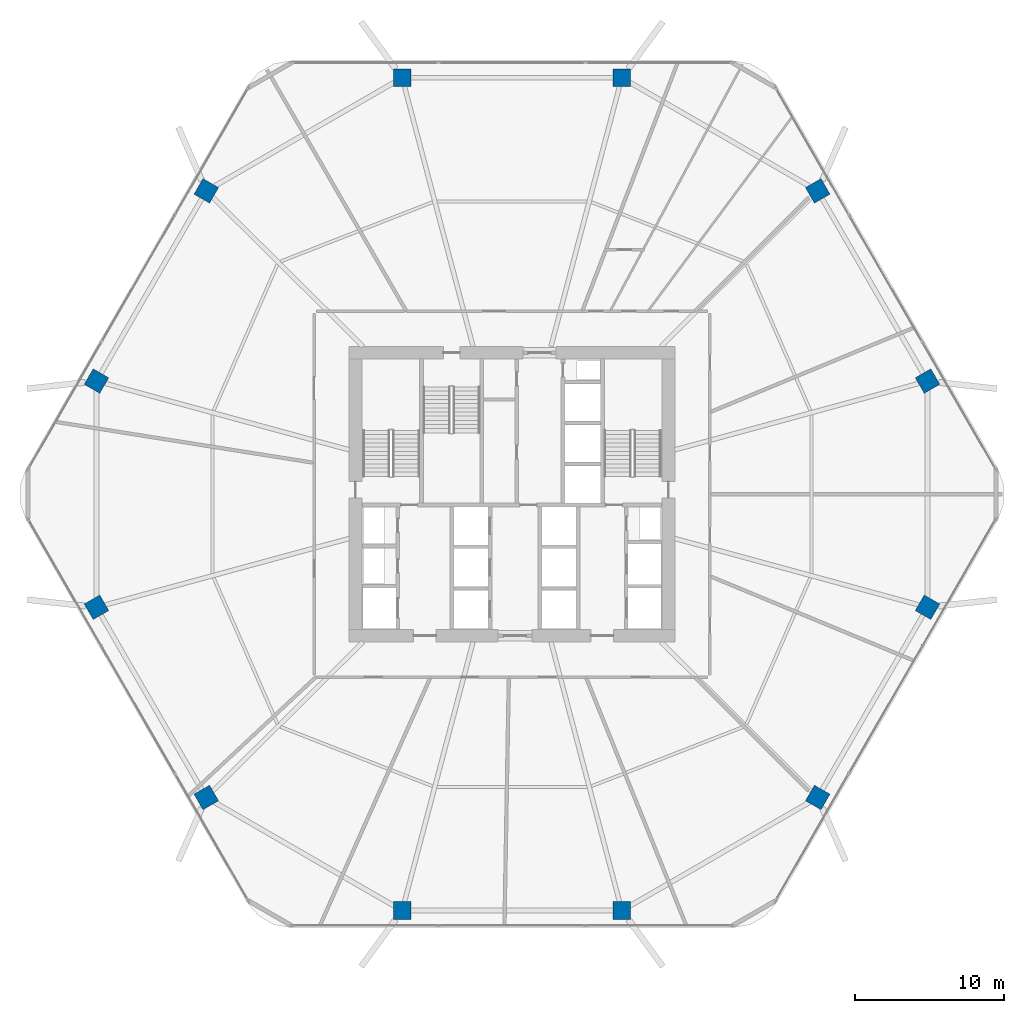
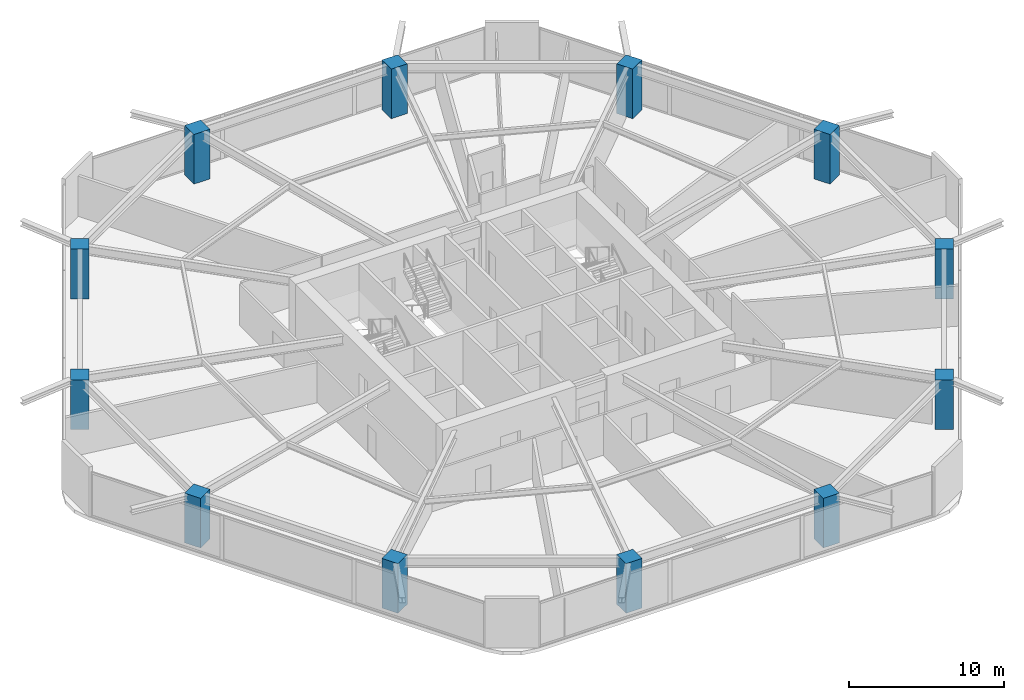
# One storey, part 1 of 25: 12 columns.
"""IFC4 building model written with IfcOpenShell, lengths in metres."""

from ifc_helpers import new_model, si_unit, direction, frame, origin, origin_2d, place, context, subcontext, project, spatial, rectangle, extrude, material, material_profile, profile_set, type_object, element, save


model = new_model("IFC4")

# Units and contexts
model_context = context("Model", 3, precision=1e-05, world=origin(), true_north=direction((0.0, 1.0)))
body_context = subcontext(model_context, "Body", "Model", "MODEL_VIEW")
ifc_project = project(units=[si_unit("LENGTHUNIT", "METRE"), si_unit("AREAUNIT", "SQUARE_METRE"), si_unit("VOLUMEUNIT", "CUBIC_METRE"), si_unit("PLANEANGLEUNIT", "RADIAN"), si_unit("MASSUNIT", "GRAM", prefix="KILO")], contexts=[model_context])

# Site, building, storey
site_placement = place(None, origin())
site = spatial("IfcSite", under=ifc_project, at=site_placement, CompositionType="ELEMENT")
building_placement = place(site_placement, origin())
building = spatial("IfcBuilding", under=site, at=building_placement, Name="Zuhravey Tower", CompositionType="ELEMENT")
storey_placement = place(building_placement, frame((0.0, 0.0, 70.800048828125)))
storey = spatial("IfcBuildingStorey", under=building, at=storey_placement, Name="L17", CompositionType="ELEMENT", Elevation=70.800048828125)

# Columns
ifc_material = material(Name="Concrete C60/75", Category="concrete")
ifc_material_profile = material_profile(ifc_material, rectangle(XDim=1.199951171875, YDim=1.199951171875, at=origin_2d()), Name="RC-1200x1200")
ifc_profile_set = profile_set([ifc_material_profile], Name="Concrete C60/75")
column_type = type_object("IfcColumnType", Name="Zone 1 Perimeter Column 1200x1200", PredefinedType="COLUMN", material=ifc_profile_set)
for number, where, z_axis, x_axis, name in (
    (1, (63.88916015625, 39.591552734375, 0.0), (0.0, 0.0, 1.0), (-0.5, 0.866025403784, 0.0), "L17 Perimeter Column PC01"),
    (2, (56.51904296875, 52.35693359375, 0.0), (0.0, 0.0, 1.0), (-0.5, 0.866025403784, 0.0), "L17 Perimeter Column PC02"),
    (3, (43.3701171875, 59.948486328125, 0.0), (0.0, 0.0, 1.0), (-1.0, 0.0, 0.0), "L17 Perimeter Column PC03"),
    (4, (28.6298828125, 59.948486328125, 0.0), (0.0, 0.0, 1.0), (-1.0, 0.0, 0.0), "L17 Perimeter Column PC04"),
    (5, (15.48095703125, 52.35693359375, 0.0), (0.0, 0.0, 1.0), (-0.5, -0.866025403784, 0.0), "L17 Perimeter Column PC05"),
    (6, (8.11083984375, 39.591552734375, 0.0), (0.0, 0.0, 1.0), (-0.5, -0.866025403784, 0.0), "L17 Perimeter Column PC06"),
    (7, (8.11083984375, 24.408447265625, 0.0), (0.0, 0.0, 1.0), (0.5, -0.866025403784, 0.0), "L17 Perimeter Column PC07"),
    (8, (15.48095703125, 11.64306640625, 0.0), (0.0, 0.0, 1.0), (0.5, -0.866025403784, 0.0), "L17 Perimeter Column PC08"),
    (9, (28.6298828125, 4.051513671875, 0.0), (0.0, 0.0, 1.0), (1.0, 0.0, 0.0), "L17 Perimeter Column PC09"),
    (10, (43.3701171875, 4.051513671875, 0.0), (0.0, 0.0, 1.0), (1.0, 0.0, 0.0), "L17 Perimeter Column PC10"),
    (11, (56.51904296875, 11.64306640625, 0.0), (0.0, 0.0, 1.0), (0.5, 0.866025403784, 0.0), "L17 Perimeter Column PC11"),
    (12, (63.88916015625, 24.408447265625, 0.0), (0.0, 0.0, 1.0), (0.5, 0.866025403784, 0.0), "L17 Perimeter Column PC12"),
):
    element("IfcColumn", number, at=place(storey_placement, frame(where, z_axis=z_axis, x_axis=x_axis)), inside=storey, type_object=column_type, Name=name, PredefinedType="COLUMN", context=body_context, shape_type="SweptSolid", body=[
        extrude(rectangle(XDim=1.199951171875, YDim=1.199951171875, at=origin_2d()), origin(), (0.0, 0.0, 1.0), 3.919921875),
    ])

save(model, "model.ifc")
